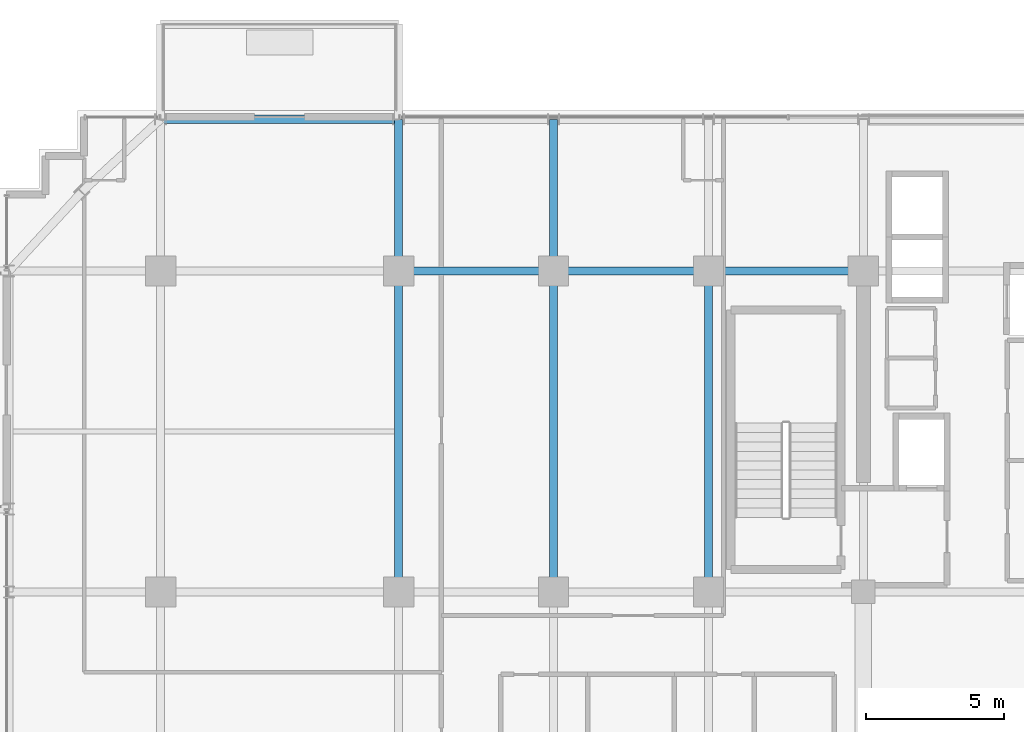
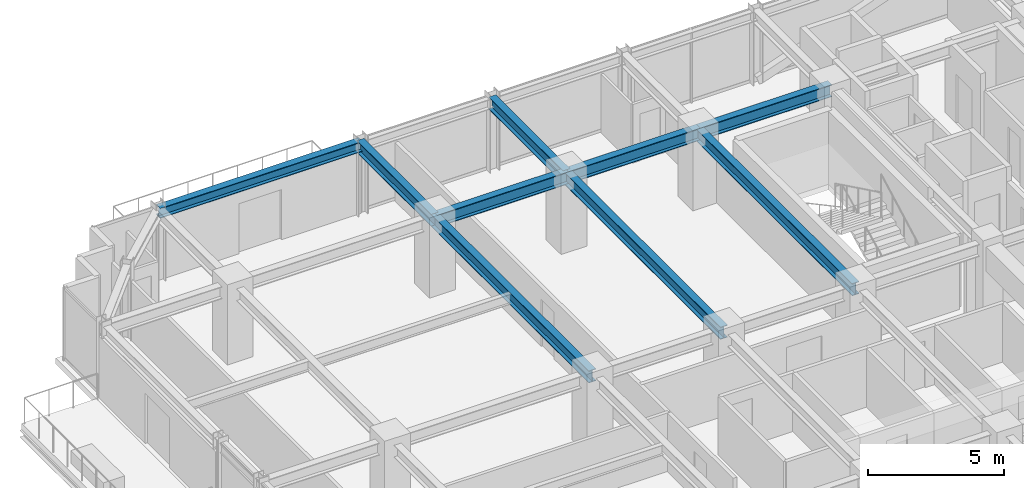
# One storey, part 18 of 32: 9 beams.
"""IFC4 building model written with IfcOpenShell, lengths in metres."""

from ifc_helpers import new_model, si_unit, direction, frame, origin, origin_2d, place, context, subcontext, project, spatial, i_section, extrude, source, transform, mapped, material, material_profile, profile_set, type_object, element, save


model = new_model("IFC4")

# Units and contexts
model_context = context("Model", 3, precision=1e-05, world=origin(), true_north=direction((0.0, 1.0)))
body_context = subcontext(model_context, "Body", "Model", "MODEL_VIEW")
ifc_project = project(units=[si_unit("LENGTHUNIT", "METRE"), si_unit("AREAUNIT", "SQUARE_METRE"), si_unit("VOLUMEUNIT", "CUBIC_METRE"), si_unit("PLANEANGLEUNIT", "RADIAN"), si_unit("MASSUNIT", "GRAM", prefix="KILO")], contexts=[model_context])

# Site, building, storey
site_placement = place(None, origin())
site = spatial("IfcSite", under=ifc_project, at=site_placement, CompositionType="ELEMENT")
building_placement = place(site_placement, origin())
building = spatial("IfcBuilding", under=site, at=building_placement, Name="Nahalor Promenade Grand Hotel", CompositionType="ELEMENT")
storey_placement = place(building_placement, frame((0.0, 0.0, 196.449951171875)))
storey = spatial("IfcBuildingStorey", under=building, at=storey_placement, Name="L50", CompositionType="ELEMENT", Elevation=196.449951171875)

# Beams
ifc_material = material(Name="Steel S355JR", Category="steel")
ifc_material_profile_1 = material_profile(ifc_material, i_section(OverallWidth=0.3, OverallDepth=0.55, WebThickness=0.015, FlangeThickness=0.029, at=origin_2d()), Name="HEB 550")
ifc_profile_set_1 = profile_set([ifc_material_profile_1], Name="Steel S355JR")
beam_type_1 = type_object("IfcBeamType", Name="Beam-Girder-HEB550", PredefinedType="BEAM", material=ifc_profile_set_1)
shared_shape_1 = source(origin(), body_context, "Body", "SweptSolid", [
    extrude(i_section(OverallWidth=0.3, OverallDepth=0.55, WebThickness=0.015, FlangeThickness=0.029, at=origin_2d()), origin(), (0.0, 0.0, 1.0), 5.599853515625),
])
for number, where, z_axis, x_axis, name in (
    (1, (-8.39990234375, 17.0, 3.01513671875), (1.0, 0.0, 0.0), (0.0, 1.0, 0.0), "BM-L50-GX-3-2"),
    (2, (2.800048828125, 17.0, 3.01513671875), (1.0, 0.0, 0.0), (0.0, 1.0, 0.0), "BM-L50-GX-3-4"),
):
    element("IfcBeam", number, at=place(storey_placement, frame(where, z_axis=z_axis, x_axis=x_axis)), inside=storey, type_object=beam_type_1, Name=name, PredefinedType="BEAM", context=body_context, shape_type="MappedRepresentation", body=[
        mapped(shared_shape_1, transform((0.0, 0.0, 0.0), scale=1.0)),
    ])
shared_shape_2 = source(origin(), body_context, "Body", "SweptSolid", [
    extrude(i_section(OverallWidth=0.3, OverallDepth=0.55, WebThickness=0.015, FlangeThickness=0.029, at=origin_2d()), origin(), (0.0, 0.0, 1.0), 5.60009765625),
])
beam_1_placement = place(storey_placement, frame((-2.800048828125, 17.0, 3.01513671875), z_axis=(1.0, 0.0, 0.0), x_axis=(0.0, 1.0, 0.0)))
element("IfcBeam", 3, at=beam_1_placement, inside=storey, type_object=beam_type_1, Name="BM-L50-GX-3-3", PredefinedType="BEAM", context=body_context, shape_type="MappedRepresentation", body=[
    mapped(shared_shape_2, transform((0.0, 0.0, 0.0), scale=1.0)),
])
shared_shape_3 = source(origin(), body_context, "Body", "SweptSolid", [
    extrude(i_section(OverallWidth=0.3, OverallDepth=0.55, WebThickness=0.015, FlangeThickness=0.029, at=origin_2d()), origin(), (0.0, 0.0, 1.0), 11.60009765625),
])
for number, where, z_axis, x_axis, name in (
    (4, (-8.39990234375, 5.39990234375, 3.01513671875), (0.0, 1.0, 0.0), (-1.0, 0.0, 0.0), "BM-L50-GY-1-3"),
    (5, (-2.800048828125, 5.39990234375, 3.01513671875), (0.0, 1.0, 0.0), (-1.0, 0.0, 0.0), "BM-L50-GY-2-3"),
    (6, (2.800048828125, 5.39990234375, 3.01513671875), (0.0, 1.0, 0.0), (-1.0, 0.0, 0.0), "BM-L50-GY-3-3"),
):
    element("IfcBeam", number, at=place(storey_placement, frame(where, z_axis=z_axis, x_axis=x_axis)), inside=storey, type_object=beam_type_1, Name=name, PredefinedType="BEAM", context=body_context, shape_type="MappedRepresentation", body=[
        mapped(shared_shape_3, transform((0.0, 0.0, 0.0), scale=1.0)),
    ])
shared_shape_4 = source(origin(), body_context, "Body", "SweptSolid", [
    extrude(i_section(OverallWidth=0.3, OverallDepth=0.55, WebThickness=0.015, FlangeThickness=0.029, at=origin_2d()), origin(), (0.0, 0.0, 1.0), 5.47998046875),
])
for number, where, z_axis, x_axis, name in (
    (7, (-8.39990234375, 17.0, 3.01513671875), (0.0, 1.0, 0.0), (-1.0, 0.0, 0.0), "BM-L50-GY-1-4"),
    (8, (-2.800048828125, 17.0, 3.01513671875), (0.0, 1.0, 0.0), (-1.0, 0.0, 0.0), "BM-L50-GY-2-4"),
):
    element("IfcBeam", number, at=place(storey_placement, frame(where, z_axis=z_axis, x_axis=x_axis)), inside=storey, type_object=beam_type_1, Name=name, PredefinedType="BEAM", context=body_context, shape_type="MappedRepresentation", body=[
        mapped(shared_shape_4, transform((0.0, 0.0, 0.0), scale=1.0)),
    ])
ifc_material_profile_2 = material_profile(ifc_material, i_section(OverallWidth=0.3, OverallDepth=0.45, WebThickness=0.014, FlangeThickness=0.026, at=origin_2d()), Name="HEB 450")
ifc_profile_set_2 = profile_set([ifc_material_profile_2], Name="Steel S355JR")
beam_type_2 = type_object("IfcBeamType", Name="Beam-Spandrel-HEB450", PredefinedType="SPANDREL", material=ifc_profile_set_2)
shared_shape_5 = source(origin(), body_context, "Body", "SweptSolid", [
    extrude(i_section(OverallWidth=0.3, OverallDepth=0.45, WebThickness=0.014, FlangeThickness=0.026, at=origin_2d()), origin(), (0.0, 0.0, 1.0), 8.60009765625),
])
beam_2_placement = place(storey_placement, frame((-17.0, 22.47998046875, 3.06494140625), z_axis=(1.0, 0.0, 0.0), x_axis=(0.0, 1.0, 0.0)))
element("IfcBeam", 9, at=beam_2_placement, inside=storey, type_object=beam_type_2, Name="BM-L50-SP-N-0", PredefinedType="SPANDREL", context=body_context, shape_type="MappedRepresentation", body=[
    mapped(shared_shape_5, transform((0.0, 0.0, 0.0), scale=1.0)),
])

save(model, "model.ifc")
